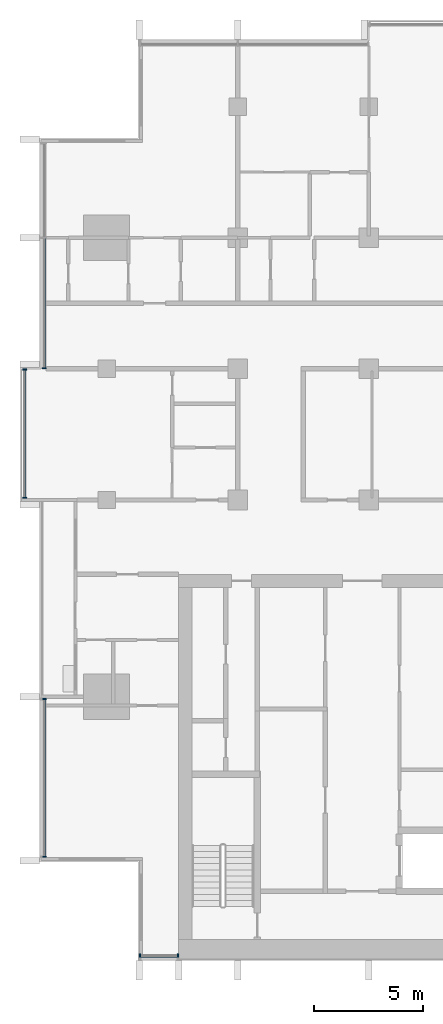
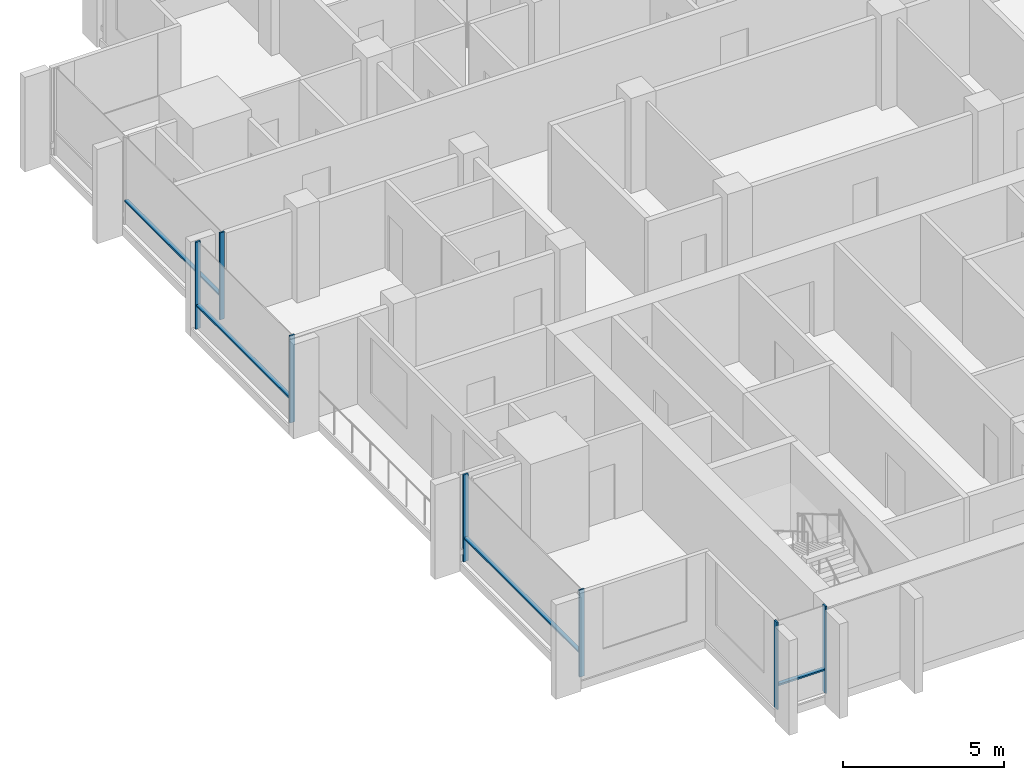
# One storey, part 2 of 16: 11 members, 4 elements without a shape of their own.
"""IFC4 building model written with IfcOpenShell, lengths in metres."""

from ifc_helpers import new_model, si_unit, direction, frame, origin, origin_2d, place, context, subcontext, project, spatial, rectangle, extrude, material, material_profile, profile_set, type_object, element, aggregate, save


model = new_model("IFC4")

# Units and contexts
model_context = context("Model", 3, precision=1e-05, world=origin(), true_north=direction((0.0, 1.0)))
body_context = subcontext(model_context, "Body", "Model", "MODEL_VIEW")
ifc_project = project(units=[si_unit("LENGTHUNIT", "METRE"), si_unit("AREAUNIT", "SQUARE_METRE"), si_unit("VOLUMEUNIT", "CUBIC_METRE"), si_unit("PLANEANGLEUNIT", "RADIAN"), si_unit("MASSUNIT", "GRAM", prefix="KILO")], contexts=[model_context])

# Site, building, storey
site_placement = place(None, origin())
site = spatial("IfcSite", under=ifc_project, at=site_placement, CompositionType="ELEMENT")
building_placement = place(site_placement, origin())
building = spatial("IfcBuilding", under=site, at=building_placement, Name="Finial Court Residences", CompositionType="ELEMENT")
storey_placement = place(building_placement, frame((0.0, 0.0, 215.89990234375)))
storey = spatial("IfcBuildingStorey", under=building, at=storey_placement, Name="L54", CompositionType="ELEMENT", Elevation=215.89990234375)

# Curtain wall, members
ifc_material = material(Name="Bronze anodised aluminium", Category="aluminium")
curtain_wall_type = type_object("IfcCurtainWallType", Name="Unitised curtain wall, upper zones", PredefinedType="NOTDEFINED", material=ifc_material)
curtain_wall_1_placement = place(storey_placement, origin())
curtain_wall_1 = element("IfcCurtainWall", 1, at=curtain_wall_1_placement, inside=storey, type_object=curtain_wall_type, Name="E-L54-CW-S7", PredefinedType="NOTDEFINED")
ifc_material_profile_1 = material_profile(ifc_material, rectangle(XDim=0.175048828125, YDim=0.06005859375, at=origin_2d()), Name="CW2 mullion 60 x 175")
ifc_profile_set_1 = profile_set([ifc_material_profile_1], Name="Bronze anodised aluminium")
member_type_1 = type_object("IfcMemberType", Name="CW2 mullion 60 x 175", PredefinedType="MULLION", material=ifc_profile_set_1)
member_1_placement = place(storey_placement, frame((-14.969970703125, -25.35009765625, 0.0), z_axis=(0.0, 0.0, 1.0), x_axis=(0.0, 1.0, 0.0)))
member_1 = element("IfcMember", 2, at=member_1_placement, type_object=member_type_1, Name="CW2 mullion 1", PredefinedType="MULLION", context=body_context, shape_type="SweptSolid", body=[
    extrude(rectangle(XDim=0.175048828125, YDim=0.06005859375, at=origin_2d()), origin(), (0.0, 0.0, 1.0), 3.300048828125),
])
member_2_placement = place(storey_placement, frame((-13.22998046875, -25.35009765625, 0.0), z_axis=(0.0, 0.0, 1.0), x_axis=(0.0, 1.0, 0.0)))
member_2 = element("IfcMember", 3, at=member_2_placement, type_object=member_type_1, Name="CW2 mullion 2", PredefinedType="MULLION", context=body_context, shape_type="SweptSolid", body=[
    extrude(rectangle(XDim=0.175048828125, YDim=0.06005859375, at=origin_2d()), origin(), (0.0, 0.0, 1.0), 3.300048828125),
])

curtain_wall_2_placement = place(storey_placement, origin())
curtain_wall_2 = element("IfcCurtainWall", 4, at=curtain_wall_2_placement, inside=storey, type_object=curtain_wall_type, Name="E-L54-CW-W9", PredefinedType="NOTDEFINED")
member_3_placement = place(storey_placement, frame((-19.35009765625, -20.820068359375, 0.0), z_axis=(0.0, 0.0, 1.0), x_axis=(-1.0, 0.0, 0.0)))
member_3 = element("IfcMember", 5, at=member_3_placement, type_object=member_type_1, Name="CW2 mullion 1", PredefinedType="MULLION", context=body_context, shape_type="SweptSolid", body=[
    extrude(rectangle(XDim=0.175048828125, YDim=0.06005859375, at=origin_2d()), origin(), (0.0, 0.0, 1.0), 3.300048828125),
])
member_4_placement = place(storey_placement, frame((-19.35009765625, -13.60498046875, 0.0), z_axis=(0.0, 0.0, 1.0), x_axis=(-1.0, 0.0, 0.0)))
member_4 = element("IfcMember", 6, at=member_4_placement, type_object=member_type_1, Name="CW2 mullion 2", PredefinedType="MULLION", context=body_context, shape_type="SweptSolid", body=[
    extrude(rectangle(XDim=0.175048828125, YDim=0.06005859375, at=origin_2d()), origin(), (0.0, 0.0, 1.0), 3.300048828125),
])

curtain_wall_3_placement = place(storey_placement, origin())
curtain_wall_3 = element("IfcCurtainWall", 7, at=curtain_wall_3_placement, inside=storey, type_object=curtain_wall_type, Name="E-L54-CW-W10", PredefinedType="NOTDEFINED")
member_5_placement = place(storey_placement, frame((-20.25, -4.39501953125, 0.0), z_axis=(0.0, 0.0, 1.0), x_axis=(-1.0, 0.0, 0.0)))
member_5 = element("IfcMember", 8, at=member_5_placement, type_object=member_type_1, Name="CW2 mullion 1", PredefinedType="MULLION", context=body_context, shape_type="SweptSolid", body=[
    extrude(rectangle(XDim=0.175048828125, YDim=0.06005859375, at=origin_2d()), origin(), (0.0, 0.0, 1.0), 3.300048828125),
])
member_6_placement = place(storey_placement, frame((-20.25, 1.469970703125, 0.0), z_axis=(0.0, 0.0, 1.0), x_axis=(-1.0, 0.0, 0.0)))
member_6 = element("IfcMember", 9, at=member_6_placement, type_object=member_type_1, Name="CW2 mullion 2", PredefinedType="MULLION", context=body_context, shape_type="SweptSolid", body=[
    extrude(rectangle(XDim=0.175048828125, YDim=0.06005859375, at=origin_2d()), origin(), (0.0, 0.0, 1.0), 3.300048828125),
])

# Curtain wall, member
curtain_wall_4_placement = place(storey_placement, origin())
curtain_wall_4 = element("IfcCurtainWall", 10, at=curtain_wall_4_placement, inside=storey, type_object=curtain_wall_type, Name="E-L54-CW-W11", PredefinedType="NOTDEFINED")
member_7_placement = place(storey_placement, frame((-19.35009765625, 1.530029296875, 0.0), z_axis=(0.0, 0.0, 1.0), x_axis=(-1.0, 0.0, 0.0)))
member_7 = element("IfcMember", 11, at=member_7_placement, type_object=member_type_1, Name="CW2 mullion 1", PredefinedType="MULLION", context=body_context, shape_type="SweptSolid", body=[
    extrude(rectangle(XDim=0.175048828125, YDim=0.06005859375, at=origin_2d()), origin(), (0.0, 0.0, 1.0), 3.300048828125),
])

# Member
ifc_material_profile_2 = material_profile(ifc_material, rectangle(XDim=0.139892578125, YDim=0.06005859375, at=origin_2d()), Name="CW2 transom 60 x 140")
ifc_profile_set_2 = profile_set([ifc_material_profile_2], Name="Bronze anodised aluminium")
member_type_2 = type_object("IfcMemberType", Name="CW2 transom 60 x 140", PredefinedType="USERDEFINED", material=ifc_profile_set_2)
member_8_placement = place(storey_placement, frame((-14.93994140625, -25.35009765625, 0.900146484375), z_axis=(1.0, 0.0, 0.0), x_axis=(0.0, 1.0, 0.0)))
member_8 = element("IfcMember", 12, at=member_8_placement, type_object=member_type_2, Name="CW2 transom 1.1", ObjectType="TRANSOM", PredefinedType="USERDEFINED", context=body_context, shape_type="SweptSolid", body=[
    extrude(rectangle(XDim=0.139892578125, YDim=0.06005859375, at=origin_2d()), origin(), (0.0, 0.0, 1.0), 1.679931640625),
])

aggregate(curtain_wall_1, [member_1, member_2, member_8])

member_9_placement = place(storey_placement, frame((-19.35009765625, -20.7900390625, 0.900146484375), z_axis=(0.0, 1.0, 0.0), x_axis=(-1.0, 0.0, 0.0)))
member_9 = element("IfcMember", 13, at=member_9_placement, type_object=member_type_2, Name="CW2 transom 1.1", ObjectType="TRANSOM", PredefinedType="USERDEFINED", context=body_context, shape_type="SweptSolid", body=[
    extrude(rectangle(XDim=0.139892578125, YDim=0.06005859375, at=origin_2d()), origin(), (0.0, 0.0, 1.0), 7.155029296875),
])

aggregate(curtain_wall_2, [member_3, member_4, member_9])

member_10_placement = place(storey_placement, frame((-20.25, -4.364990234375, 0.900146484375), z_axis=(0.0, 1.0, 0.0), x_axis=(-1.0, 0.0, 0.0)))
member_10 = element("IfcMember", 14, at=member_10_placement, type_object=member_type_2, Name="CW2 transom 1.1", ObjectType="TRANSOM", PredefinedType="USERDEFINED", context=body_context, shape_type="SweptSolid", body=[
    extrude(rectangle(XDim=0.139892578125, YDim=0.06005859375, at=origin_2d()), origin(), (0.0, 0.0, 1.0), 5.804931640625),
])

aggregate(curtain_wall_3, [member_5, member_6, member_10])

member_11_placement = place(storey_placement, frame((-19.35009765625, 1.56005859375, 0.900146484375), z_axis=(0.0, 1.0, 0.0), x_axis=(-1.0, 0.0, 0.0)))
member_11 = element("IfcMember", 15, at=member_11_placement, type_object=member_type_2, Name="CW2 transom 1.1", ObjectType="TRANSOM", PredefinedType="USERDEFINED", context=body_context, shape_type="SweptSolid", body=[
    extrude(rectangle(XDim=0.139892578125, YDim=0.06005859375, at=origin_2d()), origin(), (0.0, 0.0, 1.0), 5.909912109375),
])

aggregate(curtain_wall_4, [member_7, member_11])

save(model, "model.ifc")
